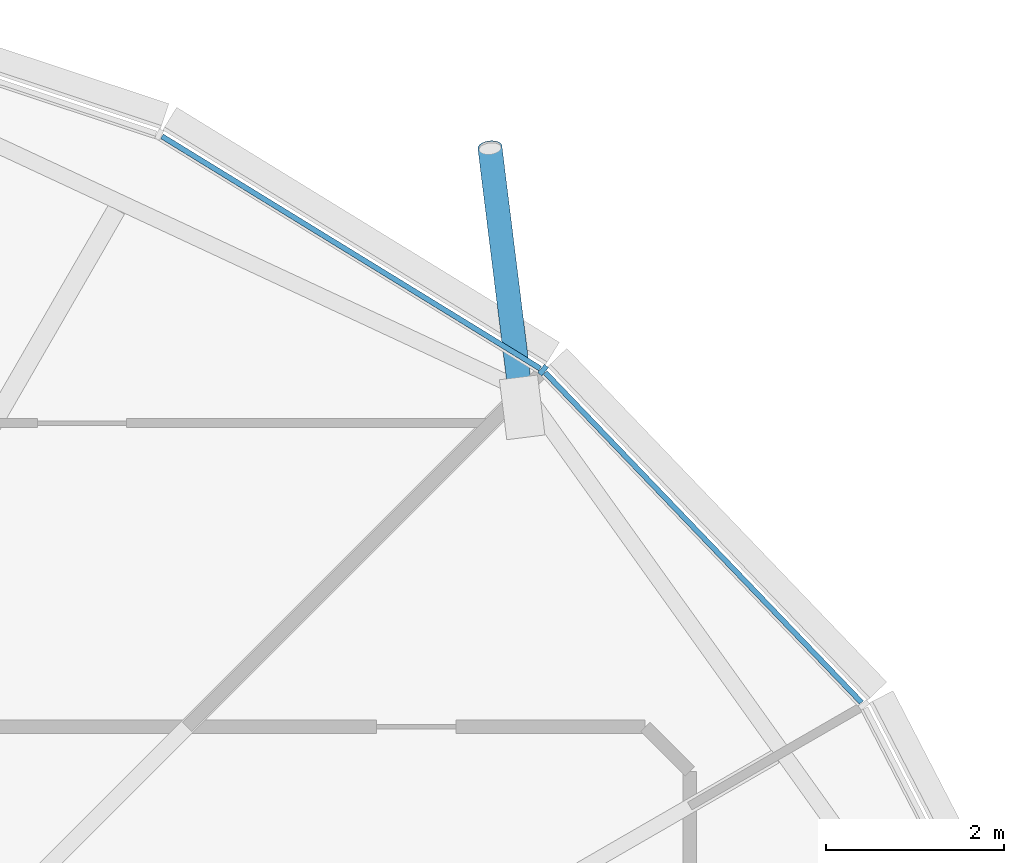
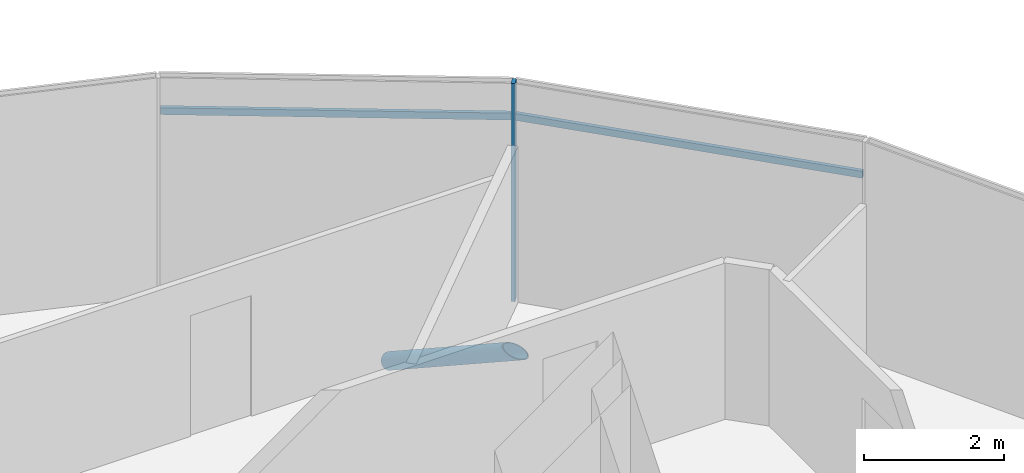
# One storey, part 8 of 35: 4 members, 1 element without a shape of its own.
"""IFC4 building model written with IfcOpenShell, lengths in metres."""

from ifc_helpers import new_model, si_unit, direction, frame, origin, origin_2d, place, context, subcontext, project, spatial, rectangle, hollow_circle, extrude, clip, halfspace, material, material_profile, profile_set, type_object, element, aggregate, save


model = new_model("IFC4")

# Units and contexts
model_context = context("Model", 3, precision=1e-05, world=origin(), true_north=direction((0.0, 1.0)))
body_context = subcontext(model_context, "Body", "Model", "MODEL_VIEW")
ifc_project = project(units=[si_unit("LENGTHUNIT", "METRE"), si_unit("AREAUNIT", "SQUARE_METRE"), si_unit("VOLUMEUNIT", "CUBIC_METRE"), si_unit("PLANEANGLEUNIT", "RADIAN"), si_unit("MASSUNIT", "GRAM", prefix="KILO")], contexts=[model_context])

# Site, building, storey
site_placement = place(None, origin())
site = spatial("IfcSite", under=ifc_project, at=site_placement, CompositionType="ELEMENT")
building_placement = place(site_placement, origin())
building = spatial("IfcBuilding", under=site, at=building_placement, Name="Rimbun Link Towers", CompositionType="ELEMENT")
storey_placement = place(building_placement, frame((0.0, 0.0, 229.5)))
storey = spatial("IfcBuildingStorey", under=building, at=storey_placement, Name="L56", CompositionType="ELEMENT", Elevation=229.5)

# Curtain wall, members
ifc_material_1 = material(Name="Aluminium 6063-T6 and low-iron glass", Category="aluminium")
curtain_wall_type = type_object("IfcCurtainWallType", Name="CW1-Z4 unitised vision wall (zone 4)", PredefinedType="NOTDEFINED", material=ifc_material_1)
curtain_wall_placement = place(storey_placement, origin())
curtain_wall = element("IfcCurtainWall", 1, at=curtain_wall_placement, inside=storey, type_object=curtain_wall_type, Name="CW1 L56 T1", PredefinedType="NOTDEFINED")
ifc_material_2 = material(Name="Aluminium 6063-T6", Category="aluminium")
ifc_material_profile_1 = material_profile(ifc_material_2, rectangle(XDim=0.1201171875, YDim=0.06005859375, at=origin_2d()), Name="MULLION 60X120")
ifc_profile_set_1 = profile_set([ifc_material_profile_1], Name="Aluminium 6063-T6")
member_type_1 = type_object("IfcMemberType", Name="CW1 mullion 60X120", PredefinedType="MULLION", material=ifc_profile_set_1)
member_1_placement = place(storey_placement, frame((-17.8974609375, 13.86181640625, 0.0), z_axis=(0.0, 0.0, 1.0), x_axis=(0.627673312143, 0.778476854649, 0.0)))
member_1 = element("IfcMember", 2, at=member_1_placement, type_object=member_type_1, Name="CW1 mullion", PredefinedType="MULLION", context=body_context, shape_type="SweptSolid", body=[
    extrude(rectangle(XDim=0.1201171875, YDim=0.06005859375, at=origin_2d()), origin(), (0.0, 0.0, 1.0), 3.800048828125),
])
ifc_material_3 = material(Name="Aluminium 6063-T6", Category="aluminium")
ifc_material_profile_2 = material_profile(ifc_material_3, rectangle(XDim=0.06005859375, YDim=0.1201171875, at=origin_2d()), Name="TRANSOM 60X120")
ifc_profile_set_2 = profile_set([ifc_material_profile_2], Name="Aluminium 6063-T6")
member_type_2 = type_object("IfcMemberType", Name="CW1 transom 60X120", PredefinedType="USERDEFINED", material=ifc_profile_set_2)
member_2_placement = place(storey_placement, frame((-17.872314453125, 13.83349609375, 3.199951171875), z_axis=(0.692054741988, -0.721845020826, 0.0), x_axis=(0.721845020826, 0.692054741988, 0.0)))
member_2 = element("IfcMember", 3, at=member_2_placement, type_object=member_type_2, Name="CW1 transom", ObjectType="TRANSOM", PredefinedType="USERDEFINED", context=body_context, shape_type="SweptSolid", body=[
    extrude(rectangle(XDim=0.06005859375, YDim=0.1201171875, at=origin_2d()), origin(), (0.0, 0.0, 1.0), 5.146728515625),
])
member_3_placement = place(storey_placement, frame((-22.18994140625, 16.49560546875, 3.199951171875), z_axis=(0.852186126719, -0.523238765219, 0.0), x_axis=(0.523238765219, 0.852186126719, 0.0)))
member_3 = element("IfcMember", 4, at=member_3_placement, type_object=member_type_2, Name="CW1 transom", ObjectType="TRANSOM", PredefinedType="USERDEFINED", context=body_context, shape_type="SweptSolid", body=[
    extrude(rectangle(XDim=0.06005859375, YDim=0.1201171875, at=origin_2d()), origin(), (0.0, 0.0, 1.0), 4.99853515625),
])
aggregate(curtain_wall, [member_1, member_2, member_3])

# Member
ifc_material_4 = material(Name="Steel S355J2H", Category="steel")
ifc_material_profile_3 = material_profile(ifc_material_4, hollow_circle(Radius=0.136474609375, WallThickness=0.012451171875, at=origin_2d()), Name="CHS 273x12.5")
ifc_profile_set_3 = profile_set([ifc_material_profile_3], Name="Steel S355J2H")
member_type_3 = type_object("IfcMemberType", Name="Floor edge link CHS 273x12.5", PredefinedType="BRACE", material=ifc_profile_set_3)
member_4_placement = place(storey_placement, frame((-18.152099609375, 13.597900390625, -0.66259765625), z_axis=(-0.104720868563, 0.84490194026, -0.524570539616), x_axis=(-0.992406273386, -0.123003205419, 0.0)))
element("IfcMember", 5, at=member_4_placement, inside=storey, type_object=member_type_3, Name="Floor edge link T1 L56 03", PredefinedType="BRACE", context=body_context, shape_type="Clipping", body=[
    clip(extrude(hollow_circle(Radius=0.136474609375, WallThickness=0.012451171875, at=origin_2d()), frame((0.0, 0.0, -0.462158203125)), (0.0, 0.0, 1.0), 3.7470703125), halfspace(frame((0.0, 0.0, -0.2177734375), z_axis=(0.0, 0.851366988418, -0.524570539616)), False)),
])

save(model, "model.ifc")
